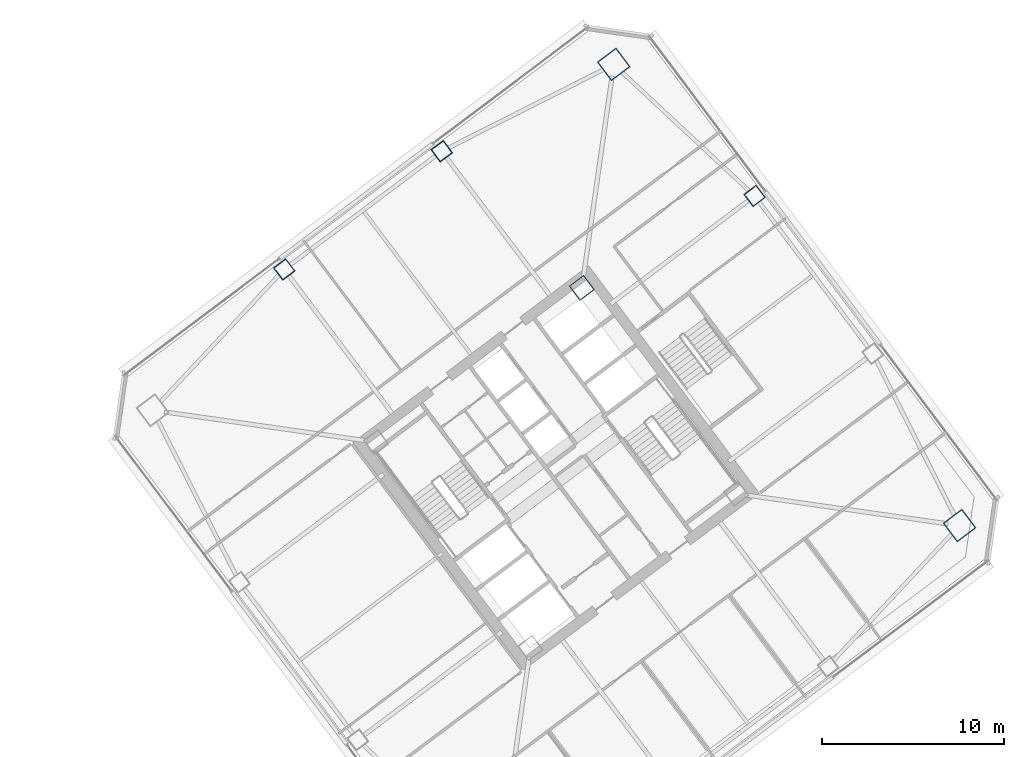
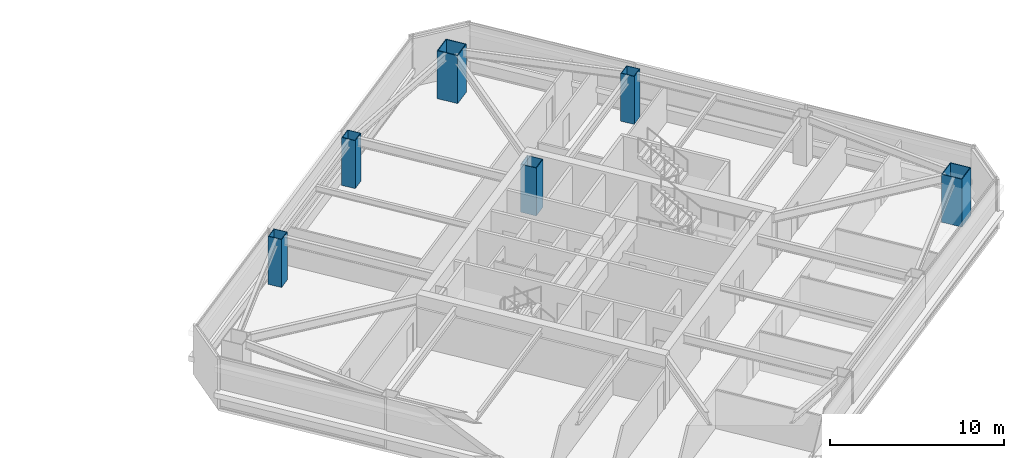
# One storey, part 2 of 41: 6 columns.
"""IFC4 building model written with IfcOpenShell, lengths in metres."""

from ifc_helpers import new_model, si_unit, direction, frame, origin, origin_2d, place, context, subcontext, project, spatial, hollow_rectangle, extrude, material, material_profile, profile_set, type_object, element, save


model = new_model("IFC4")

# Units and contexts
model_context = context("Model", 3, precision=1e-05, world=origin(), true_north=direction((0.0, 1.0)))
body_context = subcontext(model_context, "Body", "Model", "MODEL_VIEW")
ifc_project = project(units=[si_unit("LENGTHUNIT", "METRE"), si_unit("AREAUNIT", "SQUARE_METRE"), si_unit("VOLUMEUNIT", "CUBIC_METRE"), si_unit("PLANEANGLEUNIT", "RADIAN"), si_unit("MASSUNIT", "GRAM", prefix="KILO")], contexts=[model_context])

# Site, building, storey
site_placement = place(None, origin())
site = spatial("IfcSite", under=ifc_project, at=site_placement, CompositionType="ELEMENT")
building_placement = place(site_placement, origin())
building = spatial("IfcBuilding", under=site, at=building_placement, Name="Tashvorn Skyway Center", CompositionType="ELEMENT")
storey_placement = place(building_placement, frame((0.0, 0.0, 117.949951171875)))
storey = spatial("IfcBuildingStorey", under=building, at=storey_placement, Name="L31", CompositionType="ELEMENT", Elevation=117.949951171875)

# Columns
ifc_material = material(Name="Steel ASTM A572 Grade 50", Category="steel")
ifc_material_profile_1 = material_profile(ifc_material, hollow_rectangle(XDim=1.0, YDim=1.0, WallThickness=0.0400390625, at=origin_2d()), Name="BOX1000x1000x40")
ifc_profile_set_1 = profile_set([ifc_material_profile_1], Name="Steel ASTM A572 Grade 50")
column_type_1 = type_object("IfcColumnType", Name="COL-BOX1000x1000x40", PredefinedType="COLUMN", material=ifc_profile_set_1)
column_placement = place(storey_placement, frame((115.409912109375, 41.8701171875, 0.0), z_axis=(0.0, 0.0, 1.0), x_axis=(0.799999996291, 0.600000004945, 0.0)))
element("IfcColumn", 1, at=column_placement, inside=storey, type_object=column_type_1, Name="Tower 2 L31 Core Corner Column CC-NE", PredefinedType="COLUMN", context=body_context, shape_type="SweptSolid", body=[
    extrude(hollow_rectangle(XDim=1.0, YDim=1.0, WallThickness=0.0400390625, at=origin_2d()), origin(), (0.0, 0.0, 1.0), 3.3701171875),
])
ifc_material_profile_2 = material_profile(ifc_material, hollow_rectangle(XDim=1.300048828125, YDim=1.300048828125, WallThickness=0.050048828125, at=origin_2d()), Name="BOX1300x1300x50")
ifc_profile_set_2 = profile_set([ifc_material_profile_2], Name="Steel ASTM A572 Grade 50")
column_type_2 = type_object("IfcColumnType", Name="COL-BOX1300x1300x50", PredefinedType="COLUMN", material=ifc_profile_set_2)
for number, where, z_axis, x_axis, name in (
    (2, (136.1201171875, 28.840087890625, 0.0), (0.0, 0.0, 1.0), (0.799999996291, 0.600000004945, 0.0), "Tower 2 L31 Mega-Column MC-SE"),
    (3, (117.159912109375, 54.1201171875, 0.0), (0.0, 0.0, 1.0), (0.799999996291, 0.600000004945, 0.0), "Tower 2 L31 Mega-Column MC-NE"),
):
    element("IfcColumn", number, at=place(storey_placement, frame(where, z_axis=z_axis, x_axis=x_axis)), inside=storey, type_object=column_type_2, Name=name, PredefinedType="COLUMN", context=body_context, shape_type="SweptSolid", body=[
        extrude(hollow_rectangle(XDim=1.300048828125, YDim=1.300048828125, WallThickness=0.050048828125, at=origin_2d()), origin(), (0.0, 0.0, 1.0), 3.3701171875),
    ])
ifc_material_profile_3 = material_profile(ifc_material, hollow_rectangle(XDim=0.85009765625, YDim=0.85009765625, WallThickness=0.034912109375, at=origin_2d()), Name="BOX850x850x35")
ifc_profile_set_3 = profile_set([ifc_material_profile_3], Name="Steel ASTM A572 Grade 50")
column_type_3 = type_object("IfcColumnType", Name="COL-BOX850x850x35", PredefinedType="COLUMN", material=ifc_profile_set_3)
for number, where, z_axis, x_axis, name in (
    (4, (124.8798828125, 46.909912109375, 0.0), (0.0, 0.0, 1.0), (0.799999996291, 0.600000004945, 0.0), "Tower 2 L31 Perimeter Column FC-E2"),
    (5, (107.72998046875, 49.360107421875, 0.0), (0.0, 0.0, 1.0), (0.799999996291, 0.600000004945, 0.0), "Tower 2 L31 Perimeter Column FC-N1"),
    (6, (99.090087890625, 42.8798828125, 0.0), (0.0, 0.0, 1.0), (0.799999996291, 0.600000004945, 0.0), "Tower 2 L31 Perimeter Column FC-N2"),
):
    element("IfcColumn", number, at=place(storey_placement, frame(where, z_axis=z_axis, x_axis=x_axis)), inside=storey, type_object=column_type_3, Name=name, PredefinedType="COLUMN", context=body_context, shape_type="SweptSolid", body=[
        extrude(hollow_rectangle(XDim=0.85009765625, YDim=0.85009765625, WallThickness=0.034912109375, at=origin_2d()), origin(), (0.0, 0.0, 1.0), 3.3701171875),
    ])

save(model, "model.ifc")
